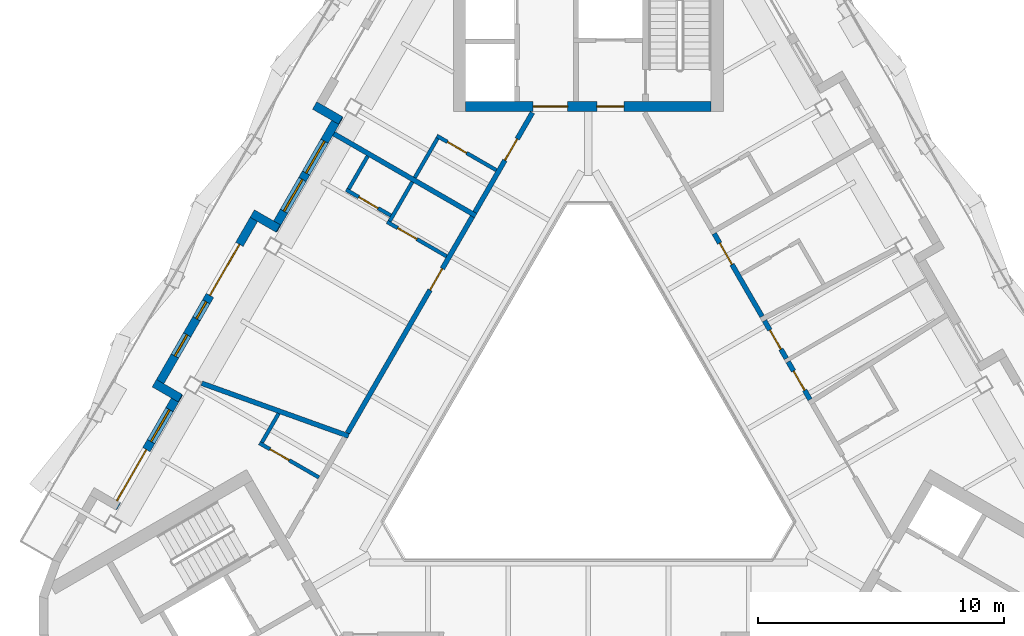
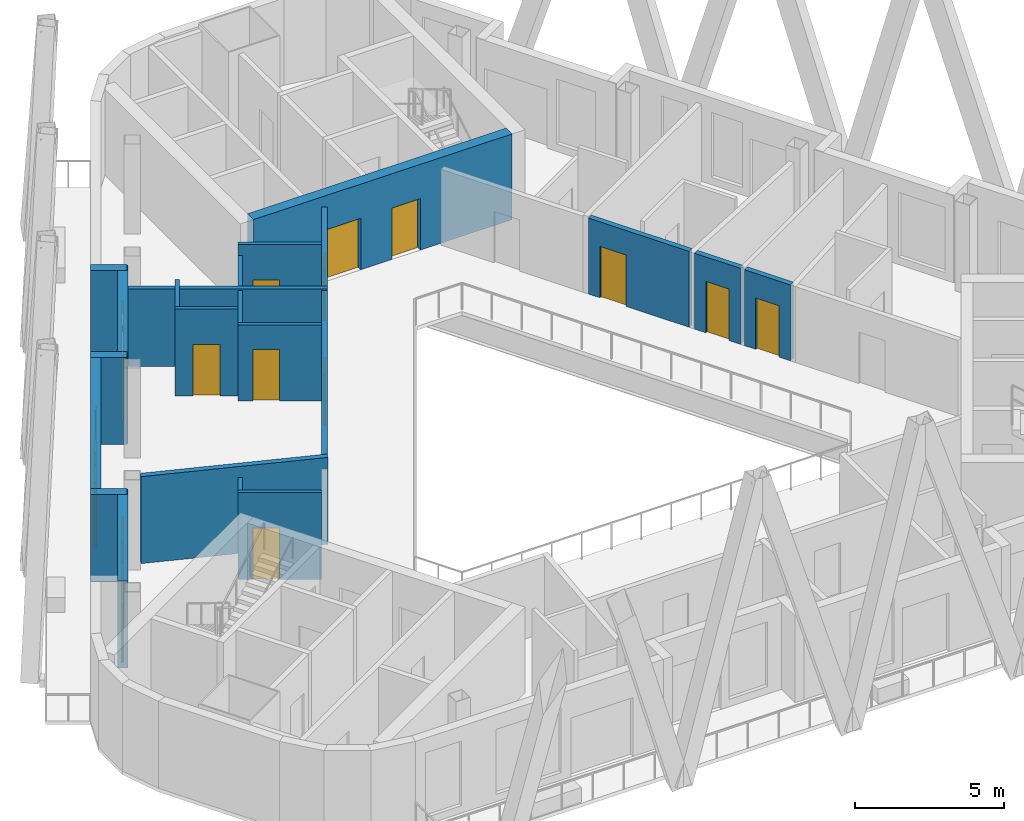
# One storey, part 4 of 11: 22 walls, 13 doors, 5 windows, 18 openings.
"""IFC4 building model written with IfcOpenShell, lengths in metres."""

from ifc_helpers import new_model, si_unit, direction, frame, frame_2d, origin, place, context, subcontext, project, spatial, rectangle, extrude, material, layer, layer_set, type_object, element, fill, save


model = new_model("IFC4")

# Units and contexts
model_context = context("Model", 3, precision=1e-05, world=origin(), true_north=direction((0.0, 1.0)))
body_context = subcontext(model_context, "Body", "Model", "MODEL_VIEW")
ifc_project = project(units=[si_unit("LENGTHUNIT", "METRE"), si_unit("AREAUNIT", "SQUARE_METRE"), si_unit("VOLUMEUNIT", "CUBIC_METRE"), si_unit("PLANEANGLEUNIT", "RADIAN"), si_unit("MASSUNIT", "GRAM", prefix="KILO")], contexts=[model_context])

# Site, building, storey
site_placement = place(None, origin())
site = spatial("IfcSite", under=ifc_project, at=site_placement, CompositionType="ELEMENT")
building_placement = place(site_placement, origin())
building = spatial("IfcBuilding", under=site, at=building_placement, Name="Apuvela Tower Hotel", CompositionType="ELEMENT")
storey_placement = place(building_placement, frame((0.0, 0.0, 313.300048828125)))
storey = spatial("IfcBuildingStorey", under=building, at=storey_placement, Name="L78", CompositionType="ELEMENT", Elevation=313.300048828125)

# Wall, openings, doors
ifc_material_1 = material(Name="Concrete C50/60", Category="concrete")
ifc_layer_1 = layer(ifc_material_1, 0.39990234375)
ifc_layer_set_1 = layer_set([ifc_layer_1], Name="COR-WALL-CORE-400")
wall_type_1 = type_object("IfcWallType", Name="COR-WALL-CORE-400", PredefinedType="SHEAR", material=ifc_layer_set_1)
wall_1_placement = place(storey_placement, frame((5.0, 13.10009765625, 0.0), z_axis=(0.0, 0.0, 1.0), x_axis=(-1.0, 0.0, 0.0)))
wall_1 = element("IfcWall", 1, at=wall_1_placement, inside=storey, type_object=wall_type_1, Name="Core wall N", PredefinedType="SHEAR", context=body_context, shape_type="SweptSolid", body=[
    extrude(rectangle(XDim=10.0, YDim=0.39990234375, at=frame_2d((5.0, 0.0))), origin(), (0.0, 0.0, 1.0), 3.5),
])
opening_1_placement = place(wall_1_placement, frame((3.550048828125, 0.0, 0.0)))
opening_1 = element("IfcOpeningElement", 2, at=opening_1_placement, cuts=wall_1, Name="Opening N-FD", PredefinedType="OPENING", context=body_context, shape_type="SweptSolid", body=[
    extrude(rectangle(XDim=1.10009765625, YDim=2.10009765625, at=frame_2d((0.550048828125, 1.050048828125))), frame((0.0, 0.2099609375, 0.0), z_axis=(0.0, -1.0, 0.0), x_axis=(1.0, 0.0, 0.0)), (0.0, 0.0, 1.0), 0.419921875),
])
opening_2_placement = place(wall_1_placement, frame((5.85009765625, 0.0, 0.0)))
opening_2 = element("IfcOpeningElement", 3, at=opening_2_placement, cuts=wall_1, Name="Opening N-GD", PredefinedType="OPENING", context=body_context, shape_type="SweptSolid", body=[
    extrude(rectangle(XDim=1.39990234375, YDim=2.10009765625, at=frame_2d((0.699951171875, 1.050048828125))), frame((0.0, 0.2099609375, 0.0), z_axis=(0.0, -1.0, 0.0), x_axis=(1.0, 0.0, 0.0)), (0.0, 0.0, 1.0), 0.419921875),
])
ifc_material_2 = material(Name="Steel fire door, powder coated", Category="steel")
door_type_1 = type_object("IfcDoorType", Name="COR-FD-1100", OperationType="NOTDEFINED", PredefinedType="DOOR", material=ifc_material_2)
door_1_placement = place(opening_1_placement, frame((1.10009765625, 0.0, 0.0), z_axis=(0.0, 0.0, 1.0), x_axis=(-1.0, 0.0, 0.0)))
door_1 = element("IfcDoor", 4, at=door_1_placement, inside=storey, type_object=door_type_1, Name="Firefighting lobby door N-FD", OperationType="SINGLE_SWING_LEFT", OverallHeight=2.10009765625, OverallWidth=1.10009765625, PredefinedType="DOOR", context=body_context, shape_type="SweptSolid", body=[
    extrude(rectangle(XDim=1.10009765625, YDim=2.10009765625, at=frame_2d((0.550048828125, 1.050048828125))), frame((0.0, 0.02490234375, 0.0), z_axis=(0.0, -1.0, 0.0), x_axis=(1.0, 0.0, 0.0)), (0.0, 0.0, 1.0), 0.050048828125),
])
fill(opening_1, door_1)
ifc_material_3 = material(Name="Glazed steel fire door", Category="steel")
door_type_2 = type_object("IfcDoorType", Name="COR-GD-1400", OperationType="DOUBLE_DOOR_SINGLE_SWING", PredefinedType="DOOR", material=ifc_material_3)
door_2_placement = place(opening_2_placement, frame((1.39990234375, 0.0, 0.0), z_axis=(0.0, 0.0, 1.0), x_axis=(-1.0, 0.0, 0.0)))
door_2 = element("IfcDoor", 5, at=door_2_placement, inside=storey, type_object=door_type_2, Name="Lift lobby door N-GD", OperationType="DOUBLE_DOOR_SINGLE_SWING", OverallHeight=2.10009765625, OverallWidth=1.39990234375, PredefinedType="DOOR", context=body_context, shape_type="SweptSolid", body=[
    extrude(rectangle(XDim=1.39990234375, YDim=2.10009765625, at=frame_2d((0.699951171875, 1.050048828125))), frame((0.0, 0.02490234375, 0.0), z_axis=(0.0, -1.0, 0.0), x_axis=(1.0, 0.0, 0.0)), (0.0, 0.0, 1.0), 0.050048828125),
])
fill(opening_2, door_2)

# Wall
ifc_material_4 = material(Name="Concrete C40/50, dark pigmented precast panel", Category="concrete")
ifc_layer_2 = layer(ifc_material_4, 0.35009765625)
ifc_layer_set_2 = layer_set([ifc_layer_2], Name="ENV-WALL-350")
wall_type_2 = type_object("IfcWallType", Name="ENV-WALL-350", PredefinedType="SOLIDWALL", material=ifc_layer_set_2)
wall_2_placement = place(storey_placement, frame((-11.150634765625, 13.1416015625, 0.0), z_axis=(0.0, 0.0, 1.0), x_axis=(0.866005645448, -0.500034220881, 0.0)))
element("IfcWall", 6, at=wall_2_placement, inside=storey, type_object=wall_type_2, Name="External wall L78-02", PredefinedType="SOLIDWALL", context=body_context, shape_type="SweptSolid", body=[
    extrude(rectangle(XDim=1.22021484375, YDim=0.35009765625, at=frame_2d((0.610107421875, 0.0))), origin(), (0.0, 0.0, 1.0), 3.550048828125),
])

# Wall, openings, windows
wall_3_placement = place(storey_placement, frame((-10.147216796875, 12.729736328125, 0.0), z_axis=(0.0, 0.0, 1.0), x_axis=(-0.499996591357, -0.866027371756, 0.0)))
wall_3 = element("IfcWall", 7, at=wall_3_placement, inside=storey, type_object=wall_type_2, Name="External wall L78-03", PredefinedType="SOLIDWALL", context=body_context, shape_type="SweptSolid", body=[
    extrude(rectangle(XDim=5.37060546875, YDim=0.35009765625, at=frame_2d((2.685302734375, 0.0))), origin(), (0.0, 0.0, 1.0), 3.550048828125),
])
opening_3_placement = place(wall_3_placement, frame((1.200927734375, 0.0, 0.300048828125)))
opening_3 = element("IfcOpeningElement", 8, at=opening_3_placement, cuts=wall_3, Name="Opening WN15", PredefinedType="OPENING", context=body_context, shape_type="SweptSolid", body=[
    extrude(rectangle(XDim=1.5, YDim=2.64990234375, at=frame_2d((0.75, 1.324951171875))), frame((0.0, 0.18505859375, 0.0), z_axis=(0.0, -1.0, 0.0), x_axis=(1.0, 0.0, 0.0)), (0.0, 0.0, 1.0), 0.3701171875),
])
opening_4_placement = place(wall_3_placement, frame((3.0009765625, 0.0, 0.300048828125)))
opening_4 = element("IfcOpeningElement", 9, at=opening_4_placement, cuts=wall_3, Name="Opening WN15", PredefinedType="OPENING", context=body_context, shape_type="SweptSolid", body=[
    extrude(rectangle(XDim=1.5, YDim=2.64990234375, at=frame_2d((0.75, 1.324951171875))), frame((0.0, 0.18505859375, 0.0), z_axis=(0.0, -1.0, 0.0), x_axis=(1.0, 0.0, 0.0)), (0.0, 0.0, 1.0), 0.3701171875),
])
ifc_material_5 = material(Name="Glass, dark tinted laminated insulated glazing unit", Category="glass")
window_type_1 = type_object("IfcWindowType", Name="ENV-WIN-1500x2650", PartitioningType="SINGLE_PANEL", PredefinedType="WINDOW", material=ifc_material_5)
window_1_placement = place(opening_3_placement, origin())
window_1 = element("IfcWindow", 10, at=window_1_placement, inside=storey, type_object=window_type_1, Name="Window WN15", OverallHeight=2.64990234375, OverallWidth=1.5, PartitioningType="SINGLE_PANEL", PredefinedType="WINDOW", context=body_context, shape_type="SweptSolid", body=[
    extrude(rectangle(XDim=1.5, YDim=2.64990234375, at=frame_2d((0.75, 1.324951171875))), frame((0.0, 0.030029296875, 0.0), z_axis=(0.0, -1.0, 0.0), x_axis=(1.0, 0.0, 0.0)), (0.0, 0.0, 1.0), 0.06005859375),
])
fill(opening_3, window_1)
window_2_placement = place(opening_4_placement, origin())
window_2 = element("IfcWindow", 11, at=window_2_placement, inside=storey, type_object=window_type_1, Name="Window WN15", OverallHeight=2.64990234375, OverallWidth=1.5, PartitioningType="SINGLE_PANEL", PredefinedType="WINDOW", context=body_context, shape_type="SweptSolid", body=[
    extrude(rectangle(XDim=1.5, YDim=2.64990234375, at=frame_2d((0.75, 1.324951171875))), frame((0.0, 0.030029296875, 0.0), z_axis=(0.0, -1.0, 0.0), x_axis=(1.0, 0.0, 0.0)), (0.0, 0.0, 1.0), 0.06005859375),
])
fill(opening_4, window_2)

# Wall
wall_4_placement = place(storey_placement, frame((-12.63427734375, 8.131591796875, 0.0), z_axis=(0.0, 0.0, 1.0), x_axis=(-0.866005645448, 0.500034220881, 0.0)))
element("IfcWall", 12, at=wall_4_placement, inside=storey, type_object=wall_type_2, Name="External wall L78-04", PredefinedType="SOLIDWALL", context=body_context, shape_type="SweptSolid", body=[
    extrude(rectangle(XDim=1.22021484375, YDim=0.35009765625, at=frame_2d((0.610107421875, 0.0))), origin(), (0.0, 0.0, 1.0), 3.550048828125),
])

# Wall, openings, door, windows
wall_5_placement = place(storey_placement, frame((-13.451904296875, 8.8056640625, 0.0), z_axis=(0.0, 0.0, 1.0), x_axis=(-0.499993893925, -0.8660289291, 0.0)))
wall_5 = element("IfcWall", 13, at=wall_5_placement, inside=storey, type_object=wall_type_2, Name="External wall L78-05", PredefinedType="SOLIDWALL", context=body_context, shape_type="SweptSolid", body=[
    extrude(rectangle(XDim=8.33056640625, YDim=0.35009765625, at=frame_2d((4.165283203125, 0.0))), origin(), (0.0, 0.0, 1.0), 3.550048828125),
])
opening_5_placement = place(wall_5_placement, frame((1.525390625, 0.0, 0.0)))
opening_5 = element("IfcOpeningElement", 14, at=opening_5_placement, cuts=wall_5, Name="Opening BD24", PredefinedType="OPENING", context=body_context, shape_type="SweptSolid", body=[
    extrude(rectangle(XDim=2.39990234375, YDim=2.39990234375, at=frame_2d((1.199951171875, 1.199951171875))), frame((0.0, 0.18505859375, 0.0), z_axis=(0.0, -1.0, 0.0), x_axis=(1.0, 0.0, 0.0)), (0.0, 0.0, 1.0), 0.3701171875),
])
opening_6_placement = place(wall_5_placement, frame((4.225341796875, 0.0, 0.300048828125)))
opening_6 = element("IfcOpeningElement", 15, at=opening_6_placement, cuts=wall_5, Name="Opening WN08", PredefinedType="OPENING", context=body_context, shape_type="SweptSolid", body=[
    extrude(rectangle(XDim=0.800048828125, YDim=2.64990234375, at=frame_2d((0.39990234375, 1.324951171875))), frame((0.0, 0.18505859375, 0.0), z_axis=(0.0, -1.0, 0.0), x_axis=(1.0, 0.0, 0.0)), (0.0, 0.0, 1.0), 0.3701171875),
])
opening_7_placement = place(wall_5_placement, frame((5.77880859375, 0.0, 0.300048828125)))
opening_7 = element("IfcOpeningElement", 16, at=opening_7_placement, cuts=wall_5, Name="Opening WN10", PredefinedType="OPENING", context=body_context, shape_type="SweptSolid", body=[
    extrude(rectangle(XDim=1.0, YDim=2.64990234375, at=frame_2d((0.5, 1.324951171875))), frame((0.0, 0.18505859375, 0.0), z_axis=(0.0, -1.0, 0.0), x_axis=(1.0, 0.0, 0.0)), (0.0, 0.0, 1.0), 0.3701171875),
])
ifc_material_6 = material(Name="Aluminium 6063-T6, dark bronze anodised frame with dark tinted laminated glass", Category="aluminium")
door_type_3 = type_object("IfcDoorType", Name="ENV-DOOR-BALCONY-2400x2400", OperationType="SLIDING_TO_LEFT", PredefinedType="DOOR", material=ifc_material_6)
door_3_placement = place(opening_5_placement, frame((2.39990234375, 0.0, 0.0), z_axis=(0.0, 0.0, 1.0), x_axis=(-1.0, 0.0, 0.0)))
door_3 = element("IfcDoor", 17, at=door_3_placement, inside=storey, type_object=door_type_3, Name="Balcony door BD24", OperationType="SLIDING_TO_LEFT", OverallHeight=2.39990234375, OverallWidth=2.39990234375, PredefinedType="DOOR", context=body_context, shape_type="SweptSolid", body=[
    extrude(rectangle(XDim=2.39990234375, YDim=2.39990234375, at=frame_2d((1.199951171875, 1.199951171875))), frame((0.0, 0.02490234375, 0.0), z_axis=(0.0, -1.0, 0.0), x_axis=(1.0, 0.0, 0.0)), (0.0, 0.0, 1.0), 0.050048828125),
])
fill(opening_5, door_3)
window_type_2 = type_object("IfcWindowType", Name="ENV-WIN-1000x2650", PartitioningType="SINGLE_PANEL", PredefinedType="WINDOW", material=ifc_material_5)
window_3_placement = place(opening_7_placement, origin())
window_3 = element("IfcWindow", 18, at=window_3_placement, inside=storey, type_object=window_type_2, Name="Window WN10", OverallHeight=2.64990234375, OverallWidth=1.0, PartitioningType="SINGLE_PANEL", PredefinedType="WINDOW", context=body_context, shape_type="SweptSolid", body=[
    extrude(rectangle(XDim=1.0, YDim=2.64990234375, at=frame_2d((0.5, 1.324951171875))), frame((0.0, 0.030029296875, 0.0), z_axis=(0.0, -1.0, 0.0), x_axis=(1.0, 0.0, 0.0)), (0.0, 0.0, 1.0), 0.06005859375),
])
fill(opening_7, window_3)
window_type_3 = type_object("IfcWindowType", Name="ENV-WIN-800x2650", PartitioningType="SINGLE_PANEL", PredefinedType="WINDOW", material=ifc_material_5)
window_4_placement = place(opening_6_placement, origin())
window_4 = element("IfcWindow", 19, at=window_4_placement, inside=storey, type_object=window_type_3, Name="Window WN08", OverallHeight=2.64990234375, OverallWidth=0.800048828125, PartitioningType="SINGLE_PANEL", PredefinedType="WINDOW", context=body_context, shape_type="SweptSolid", body=[
    extrude(rectangle(XDim=0.800048828125, YDim=2.64990234375, at=frame_2d((0.39990234375, 1.324951171875))), frame((0.0, 0.030029296875, 0.0), z_axis=(0.0, -1.0, 0.0), x_axis=(1.0, 0.0, 0.0)), (0.0, 0.0, 1.0), 0.06005859375),
])
fill(opening_6, window_4)

# Wall
wall_6_placement = place(storey_placement, frame((-17.68115234375, 1.830078125, 0.0), z_axis=(0.0, 0.0, 1.0), x_axis=(0.866092288191, -0.499884134912, 0.0)))
element("IfcWall", 20, at=wall_6_placement, inside=storey, type_object=wall_type_2, Name="External wall L78-06", PredefinedType="SOLIDWALL", context=body_context, shape_type="SweptSolid", body=[
    extrude(rectangle(XDim=1.219970703125, YDim=0.35009765625, at=frame_2d((0.60986328125, 0.0))), origin(), (0.0, 0.0, 1.0), 3.550048828125),
])

# Wall, openings, door, window
wall_7_placement = place(storey_placement, frame((-16.677734375, 1.418212890625, 0.0), z_axis=(0.0, 0.0, 1.0), x_axis=(-0.499996591357, -0.866027371756, 0.0)))
wall_7 = element("IfcWall", 21, at=wall_7_placement, inside=storey, type_object=wall_type_2, Name="External wall L78-07", PredefinedType="SOLIDWALL", context=body_context, shape_type="SweptSolid", body=[
    extrude(rectangle(XDim=5.37060546875, YDim=0.35009765625, at=frame_2d((2.685302734375, 0.0))), origin(), (0.0, 0.0, 1.0), 3.550048828125),
])
opening_8_placement = place(wall_7_placement, frame((2.65087890625, 0.0, 0.0)))
opening_8 = element("IfcOpeningElement", 22, at=opening_8_placement, cuts=wall_7, Name="Opening BD24", PredefinedType="OPENING", context=body_context, shape_type="SweptSolid", body=[
    extrude(rectangle(XDim=2.39990234375, YDim=2.39990234375, at=frame_2d((1.199951171875, 1.199951171875))), frame((0.0, 0.18505859375, 0.0), z_axis=(0.0, -1.0, 0.0), x_axis=(1.0, 0.0, 0.0)), (0.0, 0.0, 1.0), 0.3701171875),
])
opening_9_placement = place(wall_7_placement, frame((0.77001953125, 0.0, 0.300048828125)))
opening_9 = element("IfcOpeningElement", 23, at=opening_9_placement, cuts=wall_7, Name="Opening WN15", PredefinedType="OPENING", context=body_context, shape_type="SweptSolid", body=[
    extrude(rectangle(XDim=1.5, YDim=2.64990234375, at=frame_2d((0.75, 1.324951171875))), frame((0.0, 0.18505859375, 0.0), z_axis=(0.0, -1.0, 0.0), x_axis=(1.0, 0.0, 0.0)), (0.0, 0.0, 1.0), 0.3701171875),
])
door_4_placement = place(opening_8_placement, frame((2.39990234375, 0.0, 0.0), z_axis=(0.0, 0.0, 1.0), x_axis=(-1.0, 0.0, 0.0)))
door_4 = element("IfcDoor", 24, at=door_4_placement, inside=storey, type_object=door_type_3, Name="Balcony door BD24", OperationType="SLIDING_TO_LEFT", OverallHeight=2.39990234375, OverallWidth=2.39990234375, PredefinedType="DOOR", context=body_context, shape_type="SweptSolid", body=[
    extrude(rectangle(XDim=2.39990234375, YDim=2.39990234375, at=frame_2d((1.199951171875, 1.199951171875))), frame((0.0, 0.02490234375, 0.0), z_axis=(0.0, -1.0, 0.0), x_axis=(1.0, 0.0, 0.0)), (0.0, 0.0, 1.0), 0.050048828125),
])
fill(opening_8, door_4)
window_5_placement = place(opening_9_placement, origin())
window_5 = element("IfcWindow", 25, at=window_5_placement, inside=storey, type_object=window_type_1, Name="Window WN15", OverallHeight=2.64990234375, OverallWidth=1.5, PartitioningType="SINGLE_PANEL", PredefinedType="WINDOW", context=body_context, shape_type="SweptSolid", body=[
    extrude(rectangle(XDim=1.5, YDim=2.64990234375, at=frame_2d((0.75, 1.324951171875))), frame((0.0, 0.030029296875, 0.0), z_axis=(0.0, -1.0, 0.0), x_axis=(1.0, 0.0, 0.0)), (0.0, 0.0, 1.0), 0.06005859375),
])
fill(opening_9, window_5)

# Walls
ifc_material_7 = material(Name="Gypsum board partition on twin steel stud", Category="steel")
ifc_layer_3 = layer(ifc_material_7, 0.199951171875)
ifc_layer_set_3 = layer_set([ifc_layer_3], Name="GST-PW1")
wall_type_3 = type_object("IfcWallType", Name="GST-PW1", PredefinedType="PARTITIONING", material=ifc_layer_set_3)
wall_8_placement = place(storey_placement, frame((-10.370849609375, 11.9921875, 0.0), z_axis=(0.0, 0.0, 1.0), x_axis=(0.866020588255, -0.50000834065, 0.0)))
element("IfcWall", 26, at=wall_8_placement, inside=storey, type_object=wall_type_3, Name="L78 partition 07", PredefinedType="PARTITIONING", context=body_context, shape_type="SweptSolid", body=[
    extrude(rectangle(XDim=6.677734375, YDim=0.199951171875, at=frame_2d((3.3388671875, 0.0))), origin(), (0.0, 0.0, 1.0), 3.159912109375),
])
wall_9_placement = place(storey_placement, frame((-15.74853515625, 1.827392578125, 0.0), z_axis=(0.0, 0.0, 1.0), x_axis=(0.941030372408, -0.3383220924, 0.0)))
element("IfcWall", 27, at=wall_9_placement, inside=storey, type_object=wall_type_3, Name="L78 partition 08", PredefinedType="PARTITIONING", context=body_context, shape_type="SweptSolid", body=[
    extrude(rectangle(XDim=6.353271484375, YDim=0.199951171875, at=frame_2d((3.1767578125, 0.0))), origin(), (0.0, 0.0, 1.0), 3.550048828125),
])

# Wall, opening, door
ifc_material_8 = material(Name="Gypsum board corridor wall on twin steel stud, acoustic", Category="steel")
ifc_layer_4 = layer(ifc_material_8, 0.199951171875)
ifc_layer_set_4 = layer_set([ifc_layer_4], Name="GST-PW2")
wall_type_4 = type_object("IfcWallType", Name="GST-PW2", PredefinedType="PARTITIONING", material=ifc_layer_set_4)
wall_10_placement = place(storey_placement, frame((8.13720703125, 2.705810546875, 0.0), z_axis=(0.0, 0.0, 1.0), x_axis=(0.500035243338, -0.866005055078, 0.0)))
wall_10 = element("IfcWall", 28, at=wall_10_placement, inside=storey, type_object=wall_type_4, Name="L78 partition 23", PredefinedType="PARTITIONING", context=body_context, shape_type="SweptSolid", body=[
    extrude(rectangle(XDim=1.779052734375, YDim=0.199951171875, at=frame_2d((0.8896484375, 0.0))), origin(), (0.0, 0.0, 1.0), 3.099853515625),
])
opening_10_placement = place(wall_10_placement, frame((0.439697265625, 0.0, 0.0)))
opening_10 = element("IfcOpeningElement", 29, at=opening_10_placement, cuts=wall_10, Name="Opening GD33-09", PredefinedType="OPENING", context=body_context, shape_type="SweptSolid", body=[
    extrude(rectangle(XDim=0.89990234375, YDim=2.10009765625, at=frame_2d((0.449951171875, 1.050048828125))), frame((0.0, 0.10986328125, 0.0), z_axis=(0.0, -1.0, 0.0), x_axis=(1.0, 0.0, 0.0)), (0.0, 0.0, 1.0), 0.219970703125),
])
ifc_material_9 = material(Name="Timber door leaf in steel frame", Category="steel")
door_type_4 = type_object("IfcDoorType", Name="GST-D2", OperationType="NOTDEFINED", PredefinedType="DOOR", material=ifc_material_9)
door_5_placement = place(opening_10_placement, origin())
door_5 = element("IfcDoor", 30, at=door_5_placement, inside=storey, type_object=door_type_4, Name="Door L78-09", OperationType="SINGLE_SWING_LEFT", OverallHeight=2.10009765625, OverallWidth=0.89990234375, PredefinedType="DOOR", context=body_context, shape_type="SweptSolid", body=[
    extrude(rectangle(XDim=0.89990234375, YDim=2.10009765625, at=frame_2d((0.449951171875, 1.050048828125))), frame((0.0, 0.02490234375, 0.0), z_axis=(0.0, -1.0, 0.0), x_axis=(1.0, 0.0, 0.0)), (0.0, 0.0, 1.0), 0.050048828125),
])
fill(opening_10, door_5)

wall_11_placement = place(storey_placement, frame((7.172607421875, 4.376708984375, 0.0), z_axis=(0.0, 0.0, 1.0), x_axis=(0.499975827765, -0.866039359181, 0.0)))
wall_11 = element("IfcWall", 31, at=wall_11_placement, inside=storey, type_object=wall_type_4, Name="L78 partition 24", PredefinedType="PARTITIONING", context=body_context, shape_type="SweptSolid", body=[
    extrude(rectangle(XDim=1.779296875, YDim=0.199951171875, at=frame_2d((0.8896484375, 0.0))), origin(), (0.0, 0.0, 1.0), 3.099853515625),
])
opening_11_placement = place(wall_11_placement, frame((0.439697265625, 0.0, 0.0)))
opening_11 = element("IfcOpeningElement", 32, at=opening_11_placement, cuts=wall_11, Name="Opening GD33-10", PredefinedType="OPENING", context=body_context, shape_type="SweptSolid", body=[
    extrude(rectangle(XDim=0.89990234375, YDim=2.10009765625, at=frame_2d((0.449951171875, 1.050048828125))), frame((0.0, 0.10986328125, 0.0), z_axis=(0.0, -1.0, 0.0), x_axis=(1.0, 0.0, 0.0)), (0.0, 0.0, 1.0), 0.219970703125),
])
door_6_placement = place(opening_11_placement, origin())
door_6 = element("IfcDoor", 33, at=door_6_placement, inside=storey, type_object=door_type_4, Name="Door L78-10", OperationType="SINGLE_SWING_RIGHT", OverallHeight=2.10009765625, OverallWidth=0.89990234375, PredefinedType="DOOR", context=body_context, shape_type="SweptSolid", body=[
    extrude(rectangle(XDim=0.89990234375, YDim=2.10009765625, at=frame_2d((0.449951171875, 1.050048828125))), frame((0.0, 0.02490234375, 0.0), z_axis=(0.0, -1.0, 0.0), x_axis=(1.0, 0.0, 0.0)), (0.0, 0.0, 1.0), 0.050048828125),
])
fill(opening_11, door_6)

wall_12_placement = place(storey_placement, frame((5.12451171875, 7.923828125, 0.0), z_axis=(0.0, 0.0, 1.0), x_axis=(0.500028041952, -0.866009213151, 0.0)))
wall_12 = element("IfcWall", 34, at=wall_12_placement, inside=storey, type_object=wall_type_4, Name="L78 partition 25", PredefinedType="PARTITIONING", context=body_context, shape_type="SweptSolid", body=[
    extrude(rectangle(XDim=3.895751953125, YDim=0.199951171875, at=frame_2d((1.94775390625, 0.0))), origin(), (0.0, 0.0, 1.0), 3.099853515625),
])
opening_12_placement = place(wall_12_placement, frame((0.449951171875, 0.0, 0.0)))
opening_12 = element("IfcOpeningElement", 35, at=opening_12_placement, cuts=wall_12, Name="Opening GD33-12", PredefinedType="OPENING", context=body_context, shape_type="SweptSolid", body=[
    extrude(rectangle(XDim=1.0, YDim=2.10009765625, at=frame_2d((0.5, 1.050048828125))), frame((0.0, 0.10986328125, 0.0), z_axis=(0.0, -1.0, 0.0), x_axis=(1.0, 0.0, 0.0)), (0.0, 0.0, 1.0), 0.219970703125),
])
door_type_5 = type_object("IfcDoorType", Name="GST-D1", OperationType="NOTDEFINED", PredefinedType="DOOR", material=ifc_material_9)
door_7_placement = place(opening_12_placement, origin())
door_7 = element("IfcDoor", 36, at=door_7_placement, inside=storey, type_object=door_type_5, Name="Door L78-12", OperationType="SINGLE_SWING_LEFT", OverallHeight=2.10009765625, OverallWidth=1.0, PredefinedType="DOOR", context=body_context, shape_type="SweptSolid", body=[
    extrude(rectangle(XDim=1.0, YDim=2.10009765625, at=frame_2d((0.5, 1.050048828125))), frame((0.0, 0.02490234375, 0.0), z_axis=(0.0, -1.0, 0.0), x_axis=(1.0, 0.0, 0.0)), (0.0, 0.0, 1.0), 0.050048828125),
])
fill(opening_12, door_7)

wall_13_placement = place(storey_placement, frame((-4.62451171875, 8.789794921875, 0.0), z_axis=(0.0, 0.0, 1.0), x_axis=(0.499964368059, 0.866045974918, 0.0)))
wall_13 = element("IfcWall", 37, at=wall_13_placement, inside=storey, type_object=wall_type_4, Name="L78 partition 31", PredefinedType="PARTITIONING", context=body_context, shape_type="SweptSolid", body=[
    extrude(rectangle(XDim=4.688232421875, YDim=0.199951171875, at=frame_2d((2.34423828125, 0.0))), origin(), (0.0, 0.0, 1.0), 3.099853515625),
])
opening_13_placement = place(wall_13_placement, frame((2.449951171875, 0.0, 0.0)))
opening_13 = element("IfcOpeningElement", 38, at=opening_13_placement, cuts=wall_13, Name="Opening GD33-16", PredefinedType="OPENING", context=body_context, shape_type="SweptSolid", body=[
    extrude(rectangle(XDim=1.0, YDim=2.10009765625, at=frame_2d((0.5, 1.050048828125))), frame((0.0, 0.10986328125, 0.0), z_axis=(0.0, -1.0, 0.0), x_axis=(1.0, 0.0, 0.0)), (0.0, 0.0, 1.0), 0.219970703125),
])
door_8_placement = place(opening_13_placement, origin())
door_8 = element("IfcDoor", 39, at=door_8_placement, inside=storey, type_object=door_type_5, Name="Door L78-16", OperationType="SINGLE_SWING_RIGHT", OverallHeight=2.10009765625, OverallWidth=1.0, PredefinedType="DOOR", context=body_context, shape_type="SweptSolid", body=[
    extrude(rectangle(XDim=1.0, YDim=2.10009765625, at=frame_2d((0.5, 1.050048828125))), frame((0.0, 0.02490234375, 0.0), z_axis=(0.0, -1.0, 0.0), x_axis=(1.0, 0.0, 0.0)), (0.0, 0.0, 1.0), 0.050048828125),
])
fill(opening_13, door_8)

wall_14_placement = place(storey_placement, frame((-9.814697265625, -0.19970703125, 0.0), z_axis=(0.0, 0.0, 1.0), x_axis=(0.499995091154, 0.866028237889, 0.0)))
wall_14 = element("IfcWall", 40, at=wall_14_placement, inside=storey, type_object=wall_type_4, Name="L78 partition 34", PredefinedType="PARTITIONING", context=body_context, shape_type="SweptSolid", body=[
    extrude(rectangle(XDim=10.18017578125, YDim=0.199951171875, at=frame_2d((5.090087890625, 0.0))), origin(), (0.0, 0.0, 1.0), 3.099853515625),
])
opening_14_placement = place(wall_14_placement, frame((6.730224609375, 0.0, 0.0)))
opening_14 = element("IfcOpeningElement", 41, at=opening_14_placement, cuts=wall_14, Name="Opening GD33-19", PredefinedType="OPENING", context=body_context, shape_type="SweptSolid", body=[
    extrude(rectangle(XDim=1.0, YDim=2.10009765625, at=frame_2d((0.5, 1.050048828125))), frame((0.0, 0.10986328125, 0.0), z_axis=(0.0, -1.0, 0.0), x_axis=(1.0, 0.0, 0.0)), (0.0, 0.0, 1.0), 0.219970703125),
])
door_9_placement = place(opening_14_placement, origin())
door_9 = element("IfcDoor", 42, at=door_9_placement, inside=storey, type_object=door_type_5, Name="Door L78-19", OperationType="SINGLE_SWING_LEFT", OverallHeight=2.10009765625, OverallWidth=1.0, PredefinedType="DOOR", context=body_context, shape_type="SweptSolid", body=[
    extrude(rectangle(XDim=1.0, YDim=2.10009765625, at=frame_2d((0.5, 1.050048828125))), frame((0.0, 0.02490234375, 0.0), z_axis=(0.0, -1.0, 0.0), x_axis=(1.0, 0.0, 0.0)), (0.0, 0.0, 1.0), 0.050048828125),
])
fill(opening_14, door_9)

ifc_material_10 = material(Name="Moisture-resistant gypsum board wet wall on steel stud", Category="steel")
ifc_layer_5 = layer(ifc_material_10, 0.14990234375)
ifc_layer_set_5 = layer_set([ifc_layer_5], Name="GST-PW3")
wall_type_5 = type_object("IfcWallType", Name="GST-PW3", PredefinedType="PARTITIONING", material=ifc_layer_set_5)
wall_15_placement = place(storey_placement, frame((-3.748779296875, 10.507080078125, 0.0), z_axis=(0.0, 0.0, 1.0), x_axis=(-0.866034573852, 0.49998411664, 0.0)))
wall_15 = element("IfcWall", 43, at=wall_15_placement, inside=storey, type_object=wall_type_5, Name="L78 partition 32", PredefinedType="PARTITIONING", context=body_context, shape_type="SweptSolid", body=[
    extrude(rectangle(XDim=2.7998046875, YDim=0.14990234375, at=frame_2d((1.39990234375, 0.0))), origin(), (0.0, 0.0, 1.0), 3.550048828125),
])
opening_15_placement = place(wall_15_placement, frame((1.39990234375, 0.0, 0.0)))
opening_15 = element("IfcOpeningElement", 44, at=opening_15_placement, cuts=wall_15, Name="Opening GD33-15", PredefinedType="OPENING", context=body_context, shape_type="SweptSolid", body=[
    extrude(rectangle(XDim=0.89990234375, YDim=2.10009765625, at=frame_2d((0.449951171875, 1.050048828125))), frame((0.0, 0.0849609375, 0.0), z_axis=(0.0, -1.0, 0.0), x_axis=(1.0, 0.0, 0.0)), (0.0, 0.0, 1.0), 0.169921875),
])
door_10_placement = place(opening_15_placement, origin())
door_10 = element("IfcDoor", 45, at=door_10_placement, inside=storey, type_object=door_type_4, Name="Door L78-15", OperationType="SINGLE_SWING_RIGHT", OverallHeight=2.10009765625, OverallWidth=0.89990234375, PredefinedType="DOOR", context=body_context, shape_type="SweptSolid", body=[
    extrude(rectangle(XDim=0.89990234375, YDim=2.10009765625, at=frame_2d((0.449951171875, 1.050048828125))), frame((0.0, 0.02490234375, 0.0), z_axis=(0.0, -1.0, 0.0), x_axis=(1.0, 0.0, 0.0)), (0.0, 0.0, 1.0), 0.050048828125),
])
fill(opening_15, door_10)

# Wall
wall_16_placement = place(storey_placement, frame((-6.14599609375, 11.8046875, 0.0), z_axis=(0.0, 0.0, 1.0), x_axis=(-0.499985172903, -0.866033964044, 0.0)))
element("IfcWall", 46, at=wall_16_placement, inside=storey, type_object=wall_type_5, Name="L78 partition 33", PredefinedType="PARTITIONING", context=body_context, shape_type="SweptSolid", body=[
    extrude(rectangle(XDim=1.85009765625, YDim=0.14990234375, at=frame_2d((0.925048828125, 0.0))), origin(), (0.0, 0.0, 1.0), 3.099853515625),
])

# Wall, opening, door
wall_17_placement = place(storey_placement, frame((-8.198486328125, 8.399658203125, 0.0), z_axis=(0.0, 0.0, 1.0), x_axis=(0.865996816683, -0.500049511043, 0.0)))
wall_17 = element("IfcWall", 47, at=wall_17_placement, inside=storey, type_object=wall_type_5, Name="L78 partition 35", PredefinedType="PARTITIONING", context=body_context, shape_type="SweptSolid", body=[
    extrude(rectangle(XDim=2.800048828125, YDim=0.14990234375, at=frame_2d((1.39990234375, 0.0))), origin(), (0.0, 0.0, 1.0), 3.099853515625),
])
opening_16_placement = place(wall_17_placement, frame((0.5, 0.0, 0.0)))
opening_16 = element("IfcOpeningElement", 48, at=opening_16_placement, cuts=wall_17, Name="Opening GD33-17", PredefinedType="OPENING", context=body_context, shape_type="SweptSolid", body=[
    extrude(rectangle(XDim=0.89990234375, YDim=2.10009765625, at=frame_2d((0.449951171875, 1.050048828125))), frame((0.0, 0.0849609375, 0.0), z_axis=(0.0, -1.0, 0.0), x_axis=(1.0, 0.0, 0.0)), (0.0, 0.0, 1.0), 0.169921875),
])
door_11_placement = place(opening_16_placement, origin())
door_11 = element("IfcDoor", 49, at=door_11_placement, inside=storey, type_object=door_type_4, Name="Door L78-17", OperationType="SINGLE_SWING_LEFT", OverallHeight=2.10009765625, OverallWidth=0.89990234375, PredefinedType="DOOR", context=body_context, shape_type="SweptSolid", body=[
    extrude(rectangle(XDim=0.89990234375, YDim=2.10009765625, at=frame_2d((0.449951171875, 1.050048828125))), frame((0.0, 0.02490234375, 0.0), z_axis=(0.0, -1.0, 0.0), x_axis=(1.0, 0.0, 0.0)), (0.0, 0.0, 1.0), 0.050048828125),
])
fill(opening_16, door_11)

# Wall
wall_18_placement = place(storey_placement, frame((-7.171142578125, 10.029296875, 0.0), z_axis=(0.0, 0.0, 1.0), x_axis=(-0.499985172903, -0.866033964044, 0.0)))
element("IfcWall", 50, at=wall_18_placement, inside=storey, type_object=wall_type_5, Name="L78 partition 36", PredefinedType="PARTITIONING", context=body_context, shape_type="SweptSolid", body=[
    extrude(rectangle(XDim=1.85009765625, YDim=0.14990234375, at=frame_2d((0.925048828125, 0.0))), origin(), (0.0, 0.0, 1.0), 3.099853515625),
])

# Wall, opening, door
wall_19_placement = place(storey_placement, frame((-9.8671875, 9.70947265625, 0.0), z_axis=(0.0, 0.0, 1.0), x_axis=(0.866009402589, -0.500027713859, 0.0)))
wall_19 = element("IfcWall", 51, at=wall_19_placement, inside=storey, type_object=wall_type_5, Name="L78 partition 37", PredefinedType="PARTITIONING", context=body_context, shape_type="SweptSolid", body=[
    extrude(rectangle(XDim=2.10009765625, YDim=0.14990234375, at=frame_2d((1.050048828125, 0.0))), origin(), (0.0, 0.0, 1.0), 3.550048828125),
])
opening_17_placement = place(wall_19_placement, frame((0.599853515625, 0.0, 0.0)))
opening_17 = element("IfcOpeningElement", 52, at=opening_17_placement, cuts=wall_19, Name="Opening GD33-18", PredefinedType="OPENING", context=body_context, shape_type="SweptSolid", body=[
    extrude(rectangle(XDim=0.89990234375, YDim=2.10009765625, at=frame_2d((0.449951171875, 1.050048828125))), frame((0.0, 0.0849609375, 0.0), z_axis=(0.0, -1.0, 0.0), x_axis=(1.0, 0.0, 0.0)), (0.0, 0.0, 1.0), 0.169921875),
])
door_12_placement = place(opening_17_placement, origin())
door_12 = element("IfcDoor", 53, at=door_12_placement, inside=storey, type_object=door_type_4, Name="Door L78-18", OperationType="SINGLE_SWING_LEFT", OverallHeight=2.10009765625, OverallWidth=0.89990234375, PredefinedType="DOOR", context=body_context, shape_type="SweptSolid", body=[
    extrude(rectangle(XDim=0.89990234375, YDim=2.10009765625, at=frame_2d((0.449951171875, 1.050048828125))), frame((0.0, 0.02490234375, 0.0), z_axis=(0.0, -1.0, 0.0), x_axis=(1.0, 0.0, 0.0)), (0.0, 0.0, 1.0), 0.050048828125),
])
fill(opening_17, door_12)

# Wall
wall_20_placement = place(storey_placement, frame((-8.98974609375, 11.0791015625, 0.0), z_axis=(0.0, 0.0, 1.0), x_axis=(-0.500086022567, -0.865975732936, 0.0)))
element("IfcWall", 54, at=wall_20_placement, inside=storey, type_object=wall_type_5, Name="L78 partition 38", PredefinedType="PARTITIONING", context=body_context, shape_type="SweptSolid", body=[
    extrude(rectangle(XDim=1.550048828125, YDim=0.14990234375, at=frame_2d((0.77490234375, 0.0))), origin(), (0.0, 0.0, 1.0), 3.550048828125),
])

# Wall, opening, door
wall_21_placement = place(storey_placement, frame((-13.3994140625, -0.6083984375, 0.0), z_axis=(0.0, 0.0, 1.0), x_axis=(0.866034573852, -0.49998411664, 0.0)))
wall_21 = element("IfcWall", 55, at=wall_21_placement, inside=storey, type_object=wall_type_5, Name="L78 partition 40", PredefinedType="PARTITIONING", context=body_context, shape_type="SweptSolid", body=[
    extrude(rectangle(XDim=2.7998046875, YDim=0.14990234375, at=frame_2d((1.39990234375, 0.0))), origin(), (0.0, 0.0, 1.0), 3.550048828125),
])
opening_18_placement = place(wall_21_placement, frame((0.5, 0.0, 0.0)))
opening_18 = element("IfcOpeningElement", 56, at=opening_18_placement, cuts=wall_21, Name="Opening GD33-20", PredefinedType="OPENING", context=body_context, shape_type="SweptSolid", body=[
    extrude(rectangle(XDim=0.89990234375, YDim=2.10009765625, at=frame_2d((0.449951171875, 1.050048828125))), frame((0.0, 0.0849609375, 0.0), z_axis=(0.0, -1.0, 0.0), x_axis=(1.0, 0.0, 0.0)), (0.0, 0.0, 1.0), 0.169921875),
])
door_13_placement = place(opening_18_placement, origin())
door_13 = element("IfcDoor", 57, at=door_13_placement, inside=storey, type_object=door_type_4, Name="Door L78-20", OperationType="SINGLE_SWING_LEFT", OverallHeight=2.10009765625, OverallWidth=0.89990234375, PredefinedType="DOOR", context=body_context, shape_type="SweptSolid", body=[
    extrude(rectangle(XDim=0.89990234375, YDim=2.10009765625, at=frame_2d((0.449951171875, 1.050048828125))), frame((0.0, 0.02490234375, 0.0), z_axis=(0.0, -1.0, 0.0), x_axis=(1.0, 0.0, 0.0)), (0.0, 0.0, 1.0), 0.050048828125),
])
fill(opening_18, door_13)

# Wall
wall_22_placement = place(storey_placement, frame((-12.61767578125, 0.595458984375, 0.0), z_axis=(0.0, 0.0, 1.0), x_axis=(-0.499966175448, -0.866044931518, 0.0)))
element("IfcWall", 58, at=wall_22_placement, inside=storey, type_object=wall_type_5, Name="L78 partition 41", PredefinedType="PARTITIONING", context=body_context, shape_type="SweptSolid", body=[
    extrude(rectangle(XDim=1.3583984375, YDim=0.14990234375, at=frame_2d((0.67919921875, 0.0))), origin(), (0.0, 0.0, 1.0), 3.099853515625),
])

save(model, "model.ifc")
